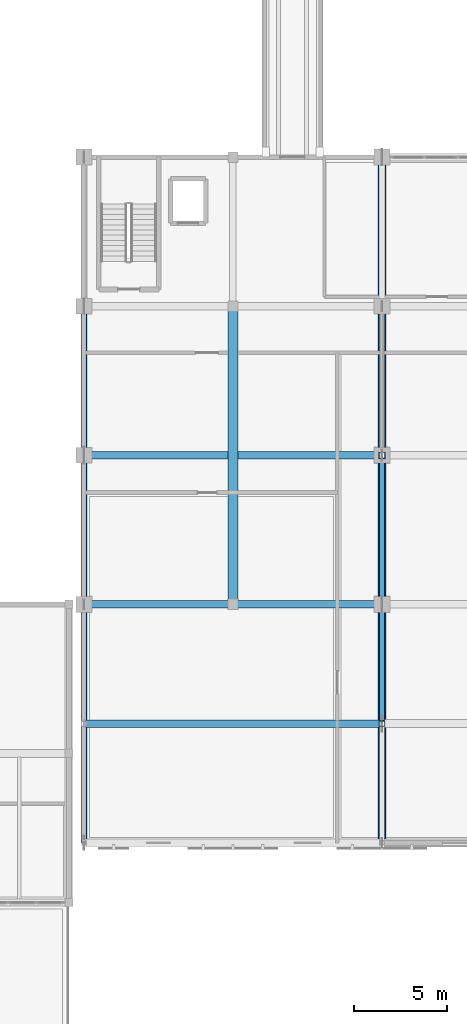
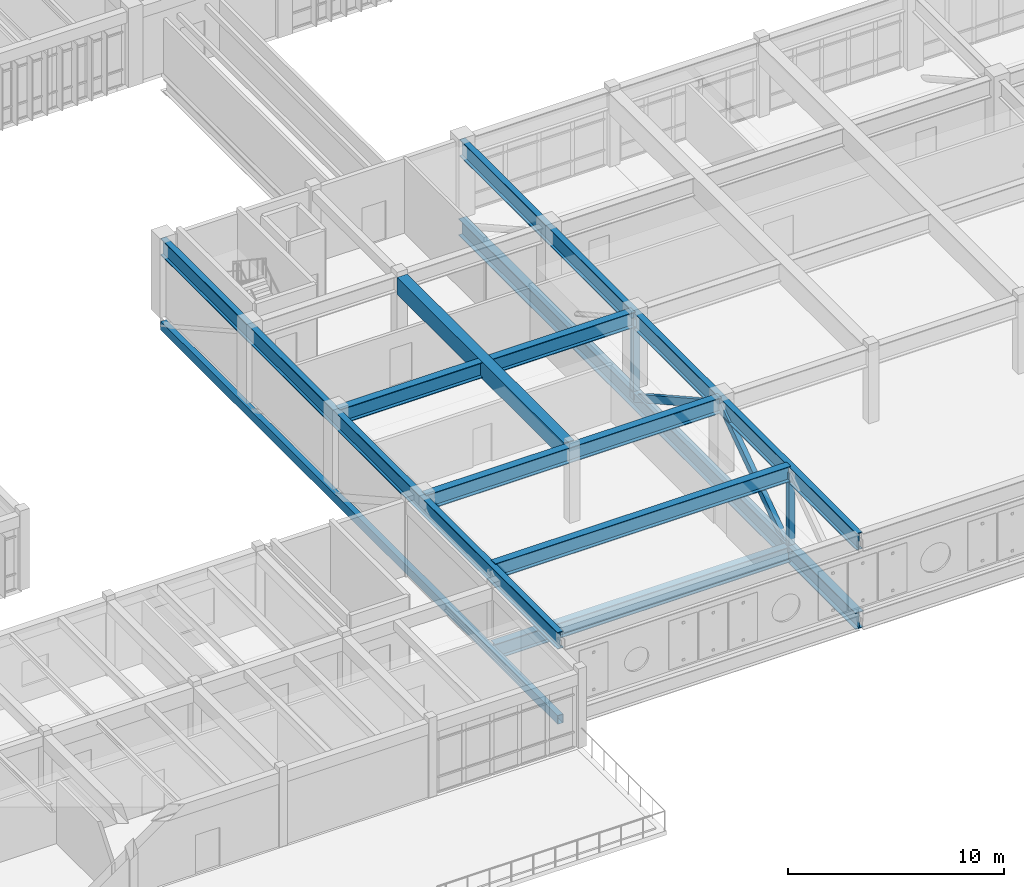
# One storey, part 6 of 79: 8 members, 5 beams.
"""IFC4 building model written with IfcOpenShell, lengths in metres."""

from ifc_helpers import new_model, si_unit, direction, frame, origin, origin_2d, place, context, subcontext, project, spatial, rectangle, hollow_rectangle, i_section, extrude, material, material_profile, profile_set, type_object, element, save


model = new_model("IFC4")

# Units and contexts
model_context = context("Model", 3, precision=1e-05, world=origin(), true_north=direction((0.0, 1.0)))
body_context = subcontext(model_context, "Body", "Model", "MODEL_VIEW")
ifc_project = project(units=[si_unit("LENGTHUNIT", "METRE"), si_unit("AREAUNIT", "SQUARE_METRE"), si_unit("VOLUMEUNIT", "CUBIC_METRE"), si_unit("PLANEANGLEUNIT", "RADIAN"), si_unit("MASSUNIT", "GRAM", prefix="KILO")], contexts=[model_context])

# Site, building, storey
site_placement = place(None, origin())
site = spatial("IfcSite", under=ifc_project, at=site_placement, CompositionType="ELEMENT")
building_placement = place(site_placement, origin())
building = spatial("IfcBuilding", under=site, at=building_placement, Name="Tlaxcora Railside Police Headquarters", CompositionType="ELEMENT")
storey_placement = place(building_placement, frame((0.0, 0.0, 9.0)))
storey = spatial("IfcBuildingStorey", under=building, at=storey_placement, Name="L02", CompositionType="ELEMENT", Elevation=9.0)

# Members
ifc_material_1 = material(Name="Steel ASTM A992 Grade 50", Category="steel")
ifc_material_profile_1 = material_profile(ifc_material_1, hollow_rectangle(XDim=0.25, YDim=0.39990234375, WallThickness=0.011962890625, at=origin_2d()), Name="HSS400X250X12")
ifc_profile_set_1 = profile_set([ifc_material_profile_1], Name="Steel ASTM A992 Grade 50")
member_type_1 = type_object("IfcMemberType", Name="Diagonal Brace Member MB-40", PredefinedType="BRACE", material=ifc_profile_set_1)
member_1_placement = place(storey_placement, frame((62.0, 44.0, -0.77001953125), z_axis=(0.0, -0.872972176335, 0.487770006607), x_axis=(1.0, 0.0, 0.0)))
element("IfcMember", 1, at=member_1_placement, inside=storey, type_object=member_type_1, Name="Truss TR-2 L02 web diagonal 3", PredefinedType="BRACE", context=body_context, shape_type="SweptSolid", body=[
    extrude(hollow_rectangle(XDim=0.25, YDim=0.39990234375, WallThickness=0.011962890625, at=origin_2d()), origin(), (0.0, 0.0, 1.0), 9.1640625),
])
member_2_placement = place(storey_placement, frame((62.0, 36.0, 3.699951171875), z_axis=(0.0, -0.819830936688, -0.572605654224), x_axis=(1.0, 0.0, 0.0)))
element("IfcMember", 2, at=member_2_placement, inside=storey, type_object=member_type_1, Name="Truss TR-2 L02 web diagonal 4", PredefinedType="BRACE", context=body_context, shape_type="SweptSolid", body=[
    extrude(hollow_rectangle(XDim=0.25, YDim=0.39990234375, WallThickness=0.011962890625, at=origin_2d()), origin(), (0.0, 0.0, 1.0), 7.806396484375),
])

# Beams
ifc_material_2 = material(Name="Concrete C40/50", Category="concrete")
ifc_material_profile_2 = material_profile(ifc_material_2, rectangle(XDim=0.550048828125, YDim=0.949951171875, at=origin_2d()), Name="RC550X950")
ifc_profile_set_2 = profile_set([ifc_material_profile_2], Name="Concrete C40/50")
beam_type_1 = type_object("IfcBeamType", Name="Primary Frame Girder BM-43", PredefinedType="BEAM", material=ifc_profile_set_2)
beam_placement = place(storey_placement, frame((54.0, 36.264892578125, 3.7451171875), z_axis=(0.0, 1.0, 0.0), x_axis=(-1.0, 0.0, 0.0)))
element("IfcBeam", 3, at=beam_placement, inside=storey, type_object=beam_type_1, Name="V2 L02 Y-girder X=54.0", PredefinedType="BEAM", context=body_context, shape_type="SweptSolid", body=[
    extrude(rectangle(XDim=0.550048828125, YDim=0.949951171875, at=origin_2d()), origin(), (0.0, 0.0, 1.0), 15.47021484375),
])
ifc_material_profile_3 = material_profile(ifc_material_1, i_section(OverallWidth=0.403076171875, OverallDepth=0.868896484375, WebThickness=0.02099609375, FlangeThickness=0.03564453125, at=origin_2d()), Name="W33X241")
ifc_profile_set_3 = profile_set([ifc_material_profile_3], Name="Steel ASTM A992 Grade 50")
beam_type_2 = type_object("IfcBeamType", Name="Primary Frame Girder BM-45", PredefinedType="BEAM", material=ifc_profile_set_3)
for number, where, z_axis, x_axis, name in (
    (4, (46.10009765625, 44.0, 3.785400390625), (1.0, 0.0, 0.0), (0.0, 1.0, 0.0), "V2 L03 transverse girder Y=44.0"),
    (5, (46.10009765625, 36.0, 3.785400390625), (1.0, 0.0, 0.0), (0.0, 1.0, 0.0), "V2 L03 transverse girder Y=36.0"),
    (6, (46.10009765625, 29.60009765625, -0.77001953125), (1.0, 0.0, 0.0), (0.0, 1.0, 0.0), "V2 L02 cantilever transverse girder Y=29.6"),
    (7, (46.10009765625, 29.60009765625, 3.785400390625), (1.0, 0.0, 0.0), (0.0, 1.0, 0.0), "V2 L03 transverse girder Y=29.6"),
):
    element("IfcBeam", number, at=place(storey_placement, frame(where, z_axis=z_axis, x_axis=x_axis)), inside=storey, type_object=beam_type_2, Name=name, PredefinedType="BEAM", context=body_context, shape_type="SweptSolid", body=[
        extrude(i_section(OverallWidth=0.403076171875, OverallDepth=0.868896484375, WebThickness=0.02099609375, FlangeThickness=0.03564453125, at=origin_2d()), origin(), (0.0, 0.0, 1.0), 15.7998046875),
    ])

# Members
ifc_material_profile_4 = material_profile(ifc_material_1, i_section(OverallWidth=0.423095703125, OverallDepth=0.947998046875, WebThickness=0.02392578125, FlangeThickness=0.042724609375, at=origin_2d()), Name="W36X302")
ifc_profile_set_4 = profile_set([ifc_material_profile_4], Name="Steel ASTM A992 Grade 50")
member_type_2 = type_object("IfcMemberType", Name="Truss Chord Member MB-32", PredefinedType="CHORD", material=ifc_profile_set_4)
member_3_placement = place(storey_placement, frame((62.0, 60.0, -0.77001953125), z_axis=(0.0, -1.0, 0.0), x_axis=(1.0, 0.0, 0.0)))
element("IfcMember", 8, at=member_3_placement, inside=storey, type_object=member_type_2, Name="Cantilever truss TR-2 bottom chord", PredefinedType="CHORD", context=body_context, shape_type="SweptSolid", body=[
    extrude(i_section(OverallWidth=0.423095703125, OverallDepth=0.947998046875, WebThickness=0.02392578125, FlangeThickness=0.042724609375, at=origin_2d()), origin(), (0.0, 0.0, 1.0), 36.800048828125),
])
ifc_material_profile_5 = material_profile(ifc_material_1, hollow_rectangle(XDim=0.300048828125, YDim=0.5, WallThickness=0.01611328125, at=origin_2d()), Name="HSS500X300X16")
ifc_profile_set_5 = profile_set([ifc_material_profile_5], Name="Steel ASTM A992 Grade 50")
member_type_3 = type_object("IfcMemberType", Name="Truss Chord Member MB-41", PredefinedType="CHORD", material=ifc_profile_set_5)
member_4_placement = place(storey_placement, frame((46.0, 60.0, -0.77001953125), z_axis=(0.0, -1.0, 0.0), x_axis=(1.0, 0.0, 0.0)))
element("IfcMember", 9, at=member_4_placement, inside=storey, type_object=member_type_3, Name="Cantilever truss TR-1 bottom chord", PredefinedType="CHORD", context=body_context, shape_type="SweptSolid", body=[
    extrude(hollow_rectangle(XDim=0.300048828125, YDim=0.5, WallThickness=0.01611328125, at=origin_2d()), origin(), (0.0, 0.0, 1.0), 36.800048828125),
])
ifc_material_profile_6 = material_profile(ifc_material_1, i_section(OverallWidth=0.31005859375, OverallDepth=0.949951171875, WebThickness=0.0244140625, FlangeThickness=0.0439453125, at=origin_2d()), Name="W36X256")
ifc_profile_set_6 = profile_set([ifc_material_profile_6], Name="Steel ASTM A992 Grade 50")
member_type_4 = type_object("IfcMemberType", Name="Truss Chord Member MB-97", PredefinedType="CHORD", material=ifc_profile_set_6)
for number, where, z_axis, x_axis, name in (
    (10, (46.0, 60.0, 3.699951171875), (0.0, -1.0, 0.0), (1.0, 0.0, 0.0), "Cantilever truss TR-1 middle chord"),
    (11, (62.0, 60.0, 3.699951171875), (0.0, -1.0, 0.0), (1.0, 0.0, 0.0), "Cantilever truss TR-2 middle chord"),
):
    element("IfcMember", number, at=place(storey_placement, frame(where, z_axis=z_axis, x_axis=x_axis)), inside=storey, type_object=member_type_4, Name=name, PredefinedType="CHORD", context=body_context, shape_type="SweptSolid", body=[
        extrude(i_section(OverallWidth=0.31005859375, OverallDepth=0.949951171875, WebThickness=0.0244140625, FlangeThickness=0.0439453125, at=origin_2d()), origin(), (0.0, 0.0, 1.0), 36.800048828125),
    ])
ifc_material_profile_7 = material_profile(ifc_material_1, hollow_rectangle(XDim=0.35009765625, YDim=0.35009765625, WallThickness=0.01611328125, at=origin_2d()), Name="HSS350X350X16")
ifc_profile_set_7 = profile_set([ifc_material_profile_7], Name="Steel ASTM A992 Grade 50")
member_type_5 = type_object("IfcMemberType", Name="Truss Vertical Post MB-42", PredefinedType="POST", material=ifc_profile_set_7)
member_5_placement = place(storey_placement, frame((62.0, 44.0, -0.77001953125), z_axis=(0.0, 0.0, 1.0), x_axis=(1.0, 0.0, 0.0)))
element("IfcMember", 12, at=member_5_placement, inside=storey, type_object=member_type_5, Name="Truss TR-2 L02 post Y=44.0", PredefinedType="POST", context=body_context, shape_type="SweptSolid", body=[
    extrude(hollow_rectangle(XDim=0.35009765625, YDim=0.35009765625, WallThickness=0.01611328125, at=origin_2d()), origin(), (0.0, 0.0, 1.0), 4.570068359375),
])
ifc_material_profile_8 = material_profile(ifc_material_1, hollow_rectangle(XDim=0.300048828125, YDim=0.300048828125, WallThickness=0.011962890625, at=origin_2d()), Name="HSS300X300X12")
ifc_profile_set_8 = profile_set([ifc_material_profile_8], Name="Steel ASTM A992 Grade 50")
member_type_6 = type_object("IfcMemberType", Name="Truss Vertical Post MB-44", PredefinedType="POST", material=ifc_profile_set_8)
member_6_placement = place(storey_placement, frame((62.0, 29.60009765625, -0.77001953125), z_axis=(0.0, 0.0, 1.0), x_axis=(1.0, 0.0, 0.0)))
element("IfcMember", 13, at=member_6_placement, inside=storey, type_object=member_type_6, Name="Truss TR-2 L02 post Y=29.6", PredefinedType="POST", context=body_context, shape_type="SweptSolid", body=[
    extrude(hollow_rectangle(XDim=0.300048828125, YDim=0.300048828125, WallThickness=0.011962890625, at=origin_2d()), origin(), (0.0, 0.0, 1.0), 4.570068359375),
])

save(model, "model.ifc")
